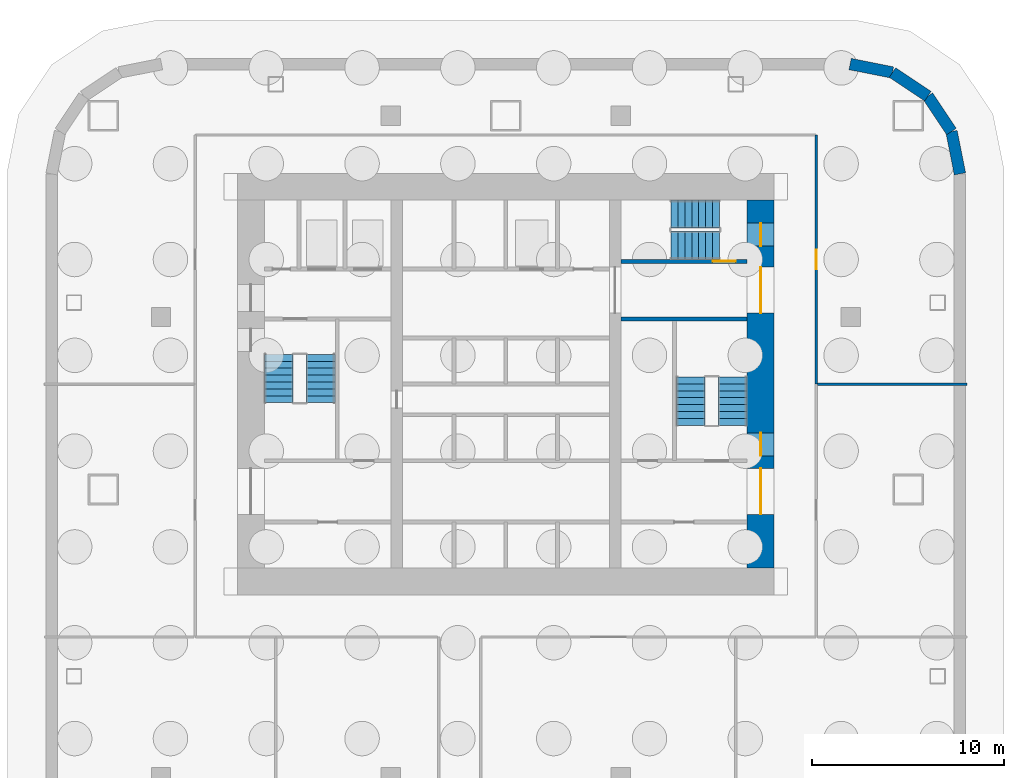
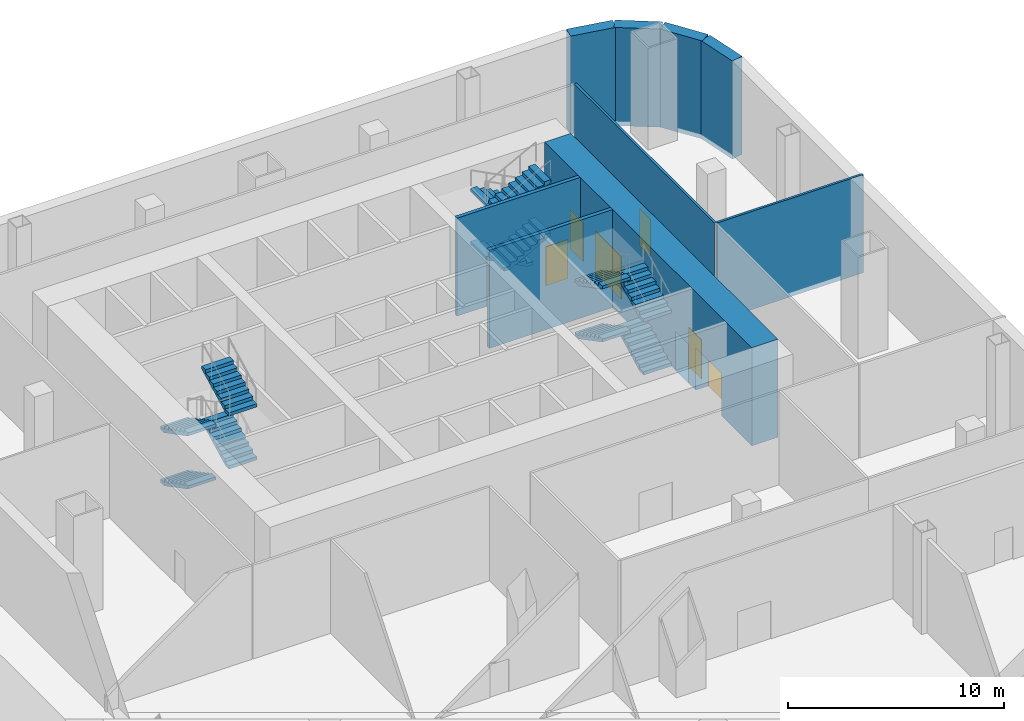
# One storey, part 4 of 6: 12 stair flights, 9 walls, 6 doors, 6 openings, 3 elements without a shape of their own.
"""IFC4 building model written with IfcOpenShell, lengths in metres."""

from ifc_helpers import new_model, si_unit, direction, frame, frame_2d, origin, place, context, subcontext, project, spatial, polyline, rectangle, outline, extrude, material, layer, layer_set, type_object, element, fill, aggregate, save


model = new_model("IFC4")

# Units and contexts
model_context = context("Model", 3, precision=1e-05, world=origin(), true_north=direction((0.0, 1.0)))
body_context = subcontext(model_context, "Body", "Model", "MODEL_VIEW")
ifc_project = project(units=[si_unit("LENGTHUNIT", "METRE"), si_unit("AREAUNIT", "SQUARE_METRE"), si_unit("VOLUMEUNIT", "CUBIC_METRE"), si_unit("PLANEANGLEUNIT", "RADIAN"), si_unit("MASSUNIT", "GRAM", prefix="KILO")], contexts=[model_context])

# Site, building, storey
site_placement = place(None, origin())
site = spatial("IfcSite", under=ifc_project, at=site_placement, CompositionType="ELEMENT")
building_placement = place(site_placement, origin())
building = spatial("IfcBuilding", under=site, at=building_placement, Name="Verdant Reach Tower", CompositionType="ELEMENT")
storey_placement = place(building_placement, frame((0.0, 0.0, -6.0)))
storey = spatial("IfcBuildingStorey", under=building, at=storey_placement, Name="B1", CompositionType="ELEMENT", Elevation=-6.0)

# Wall
ifc_material_1 = material(Name="Concrete C40/50", Category="concrete")
ifc_layer_1 = layer(ifc_material_1, 0.199951171875)
ifc_layer_set_1 = layer_set([ifc_layer_1], Name="CO-WALL-STAIR")
wall_type_1 = type_object("IfcWallType", Name="CO-WALL-STAIR", PredefinedType="PARTITIONING", material=ifc_layer_set_1)
wall_1_placement = place(storey_placement, frame((6.0, 31.39990234375, 0.0), z_axis=(0.0, 0.0, 1.0), x_axis=(1.0, 0.0, 0.0)))
element("IfcWall", 1, at=wall_1_placement, inside=storey, type_object=wall_type_1, Name="Stair enclosure wall, B1", PredefinedType="PARTITIONING", context=body_context, shape_type="SweptSolid", body=[
    extrude(rectangle(XDim=6.60009765625, YDim=0.199951171875, at=frame_2d((3.300048828125, 0.0))), origin(), (0.0, 0.0, 1.0), 5.550048828125),
])

# Wall, opening, door
wall_2_placement = place(storey_placement, frame((6.0, 34.39990234375, 0.0), z_axis=(0.0, 0.0, 1.0), x_axis=(1.0, 0.0, 0.0)))
wall_2 = element("IfcWall", 2, at=wall_2_placement, inside=storey, type_object=wall_type_1, Name="Stair enclosure wall, B1", PredefinedType="PARTITIONING", context=body_context, shape_type="SweptSolid", body=[
    extrude(rectangle(XDim=6.60009765625, YDim=0.199951171875, at=frame_2d((3.300048828125, 0.0))), origin(), (0.0, 0.0, 1.0), 5.550048828125),
])
opening_1_placement = place(wall_2_placement, frame((4.800048828125, 0.0, 0.0)))
opening_1 = element("IfcOpeningElement", 3, at=opening_1_placement, cuts=wall_2, Name="Opening SD", PredefinedType="OPENING", context=body_context, shape_type="SweptSolid", body=[
    extrude(rectangle(XDim=1.199951171875, YDim=2.199951171875, at=frame_2d((0.60009765625, 1.10009765625))), frame((0.0, 0.10986328125, 0.0), z_axis=(0.0, -1.0, 0.0), x_axis=(1.0, 0.0, 0.0)), (0.0, 0.0, 1.0), 0.219970703125),
])
ifc_material_2 = material(Name="Steel", Category="steel")
door_type_1 = type_object("IfcDoorType", Name="CO-DOOR-STAIR", OperationType="NOTDEFINED", PredefinedType="DOOR", material=ifc_material_2)
door_1_placement = place(opening_1_placement, origin())
door_1 = element("IfcDoor", 4, at=door_1_placement, inside=storey, type_object=door_type_1, Name="Stair door, B1", OperationType="SINGLE_SWING_RIGHT", OverallHeight=2.199951171875, OverallWidth=1.199951171875, PredefinedType="DOOR", context=body_context, shape_type="SweptSolid", body=[
    extrude(rectangle(XDim=1.199951171875, YDim=2.199951171875, at=frame_2d((0.60009765625, 1.10009765625))), frame((0.0, 0.02490234375, 0.0), z_axis=(0.0, -1.0, 0.0), x_axis=(1.0, 0.0, 0.0)), (0.0, 0.0, 1.0), 0.050048828125),
])
fill(opening_1, door_1)

# Walls
ifc_layer_2 = layer(ifc_material_1, 0.60009765625)
ifc_layer_set_2 = layer_set([ifc_layer_2], Name="ST-BASEMENT-WALL")
wall_type_2 = type_object("IfcWallType", Name="ST-BASEMENT-WALL", PredefinedType="SHEAR", material=ifc_layer_set_2)
wall_3_placement = place(storey_placement, frame((17.970458984375, 44.699951171875, 0.0), z_axis=(0.0, 0.0, 1.0), x_axis=(0.980792774628, -0.195052642224, 0.0)))
element("IfcWall", 5, at=wall_3_placement, inside=storey, type_object=wall_type_2, Name="Basement retaining wall 12", PredefinedType="SHEAR", context=body_context, shape_type="SweptSolid", body=[
    extrude(rectangle(XDim=2.251708984375, YDim=0.60009765625, at=frame_2d((1.1259765625, 0.0))), origin(), (0.0, 0.0, 1.0), 5.550048828125),
])
for number, where, z_axis, x_axis, name in (
    (6, (20.178955078125, 44.2607421875, 0.0), (0.0, 0.0, 1.0), (0.831475081676, -0.555562047437, 0.0), "Basement retaining wall 13"),
    (7, (22.0263671875, 43.0263671875, 0.0), (0.0, 0.0, 1.0), (0.555562047437, -0.831475081676, 0.0), "Basement retaining wall 14"),
):
    element("IfcWall", number, at=place(storey_placement, frame(where, z_axis=z_axis, x_axis=x_axis)), inside=storey, type_object=wall_type_2, Name=name, PredefinedType="SHEAR", context=body_context, shape_type="SweptSolid", body=[
        extrude(rectangle(XDim=2.221923828125, YDim=0.60009765625, at=frame_2d((1.11083984375, 0.0))), origin(), (0.0, 0.0, 1.0), 5.550048828125),
    ])
wall_4_placement = place(storey_placement, frame((23.2607421875, 41.178955078125, 0.0), z_axis=(0.0, 0.0, 1.0), x_axis=(0.195052642224, -0.980792774628, 0.0)))
element("IfcWall", 8, at=wall_4_placement, inside=storey, type_object=wall_type_2, Name="Basement retaining wall 15", PredefinedType="SHEAR", context=body_context, shape_type="SweptSolid", body=[
    extrude(rectangle(XDim=2.251708984375, YDim=0.60009765625, at=frame_2d((1.1259765625, 0.0))), origin(), (0.0, 0.0, 1.0), 5.550048828125),
])

# Wall, openings, doors
ifc_material_3 = material(Name="Concrete C70/85", Category="concrete")
ifc_layer_3 = layer(ifc_material_3, 1.39990234375)
ifc_layer_set_3 = layer_set([ifc_layer_3], Name="ST-CORE-WALL-1400")
wall_type_3 = type_object("IfcWallType", Name="ST-CORE-WALL-1400", PredefinedType="SHEAR", material=ifc_layer_set_3)
wall_5_placement = place(storey_placement, frame((13.300048828125, 18.39990234375, 0.0), z_axis=(0.0, 0.0, 1.0), x_axis=(0.0, 1.0, 0.0)))
wall_5 = element("IfcWall", 9, at=wall_5_placement, inside=storey, type_object=wall_type_3, Name="Core wall E, B1", PredefinedType="SHEAR", context=body_context, shape_type="SweptSolid", body=[
    extrude(rectangle(XDim=19.2001953125, YDim=1.39990234375, at=frame_2d((9.60009765625, 0.0))), origin(), (0.0, 0.0, 1.0), 5.550048828125),
])
opening_2_placement = place(wall_5_placement, frame((2.800048828125, 0.0, 0.0)))
opening_2 = element("IfcOpeningElement", 10, at=opening_2_placement, cuts=wall_5, Name="Opening LB", PredefinedType="OPENING", context=body_context, shape_type="SweptSolid", body=[
    extrude(rectangle(XDim=2.39990234375, YDim=2.39990234375, at=frame_2d((1.199951171875, 1.199951171875))), frame((0.0, 0.7099609375, 0.0), z_axis=(0.0, -1.0, 0.0), x_axis=(1.0, 0.0, 0.0)), (0.0, 0.0, 1.0), 1.419921875),
])
opening_3_placement = place(wall_5_placement, frame((13.300048828125, 0.0, 0.0)))
opening_3 = element("IfcOpeningElement", 11, at=opening_3_placement, cuts=wall_5, Name="Opening LB", PredefinedType="OPENING", context=body_context, shape_type="SweptSolid", body=[
    extrude(rectangle(XDim=2.39990234375, YDim=2.39990234375, at=frame_2d((1.199951171875, 1.199951171875))), frame((0.0, 0.7099609375, 0.0), z_axis=(0.0, -1.0, 0.0), x_axis=(1.0, 0.0, 0.0)), (0.0, 0.0, 1.0), 1.419921875),
])
opening_4_placement = place(wall_5_placement, frame((5.85009765625, 0.0, 0.0)))
opening_4 = element("IfcOpeningElement", 12, at=opening_4_placement, cuts=wall_5, Name="Opening SD", PredefinedType="OPENING", context=body_context, shape_type="SweptSolid", body=[
    extrude(rectangle(XDim=1.199951171875, YDim=2.199951171875, at=frame_2d((0.60009765625, 1.10009765625))), frame((0.0, 0.7099609375, 0.0), z_axis=(0.0, -1.0, 0.0), x_axis=(1.0, 0.0, 0.0)), (0.0, 0.0, 1.0), 1.419921875),
])
opening_5_placement = place(wall_5_placement, frame((16.800048828125, 0.0, 0.0)))
opening_5 = element("IfcOpeningElement", 13, at=opening_5_placement, cuts=wall_5, Name="Opening SD", PredefinedType="OPENING", context=body_context, shape_type="SweptSolid", body=[
    extrude(rectangle(XDim=1.199951171875, YDim=2.199951171875, at=frame_2d((0.60009765625, 1.10009765625))), frame((0.0, 0.7099609375, 0.0), z_axis=(0.0, -1.0, 0.0), x_axis=(1.0, 0.0, 0.0)), (0.0, 0.0, 1.0), 1.419921875),
])
ifc_material_4 = material(Name="Glass and steel", Category="steel")
door_type_2 = type_object("IfcDoorType", Name="CO-DOOR-LOBBY", OperationType="DOUBLE_DOOR_SINGLE_SWING", PredefinedType="DOOR", material=ifc_material_4)
door_2_placement = place(opening_2_placement, origin())
door_2 = element("IfcDoor", 14, at=door_2_placement, inside=storey, type_object=door_type_2, Name="Core entrance door, B1", OperationType="DOUBLE_DOOR_SINGLE_SWING", OverallHeight=2.39990234375, OverallWidth=2.39990234375, PredefinedType="DOOR", context=body_context, shape_type="SweptSolid", body=[
    extrude(rectangle(XDim=2.39990234375, YDim=2.39990234375, at=frame_2d((1.199951171875, 1.199951171875))), frame((0.0, 0.02490234375, 0.0), z_axis=(0.0, -1.0, 0.0), x_axis=(1.0, 0.0, 0.0)), (0.0, 0.0, 1.0), 0.050048828125),
])
fill(opening_2, door_2)
door_3_placement = place(opening_3_placement, origin())
door_3 = element("IfcDoor", 15, at=door_3_placement, inside=storey, type_object=door_type_2, Name="Core entrance door, B1", OperationType="DOUBLE_DOOR_SINGLE_SWING", OverallHeight=2.39990234375, OverallWidth=2.39990234375, PredefinedType="DOOR", context=body_context, shape_type="SweptSolid", body=[
    extrude(rectangle(XDim=2.39990234375, YDim=2.39990234375, at=frame_2d((1.199951171875, 1.199951171875))), frame((0.0, 0.02490234375, 0.0), z_axis=(0.0, -1.0, 0.0), x_axis=(1.0, 0.0, 0.0)), (0.0, 0.0, 1.0), 0.050048828125),
])
fill(opening_3, door_3)
door_4_placement = place(opening_4_placement, origin())
door_4 = element("IfcDoor", 16, at=door_4_placement, inside=storey, type_object=door_type_1, Name="Core entrance door, B1", OperationType="SINGLE_SWING_LEFT", OverallHeight=2.199951171875, OverallWidth=1.199951171875, PredefinedType="DOOR", context=body_context, shape_type="SweptSolid", body=[
    extrude(rectangle(XDim=1.199951171875, YDim=2.199951171875, at=frame_2d((0.60009765625, 1.10009765625))), frame((0.0, 0.02490234375, 0.0), z_axis=(0.0, -1.0, 0.0), x_axis=(1.0, 0.0, 0.0)), (0.0, 0.0, 1.0), 0.050048828125),
])
fill(opening_4, door_4)
door_5_placement = place(opening_5_placement, origin())
door_5 = element("IfcDoor", 17, at=door_5_placement, inside=storey, type_object=door_type_1, Name="Core entrance door, B1", OperationType="SINGLE_SWING_RIGHT", OverallHeight=2.199951171875, OverallWidth=1.199951171875, PredefinedType="DOOR", context=body_context, shape_type="SweptSolid", body=[
    extrude(rectangle(XDim=1.199951171875, YDim=2.199951171875, at=frame_2d((0.60009765625, 1.10009765625))), frame((0.0, 0.02490234375, 0.0), z_axis=(0.0, -1.0, 0.0), x_axis=(1.0, 0.0, 0.0)), (0.0, 0.0, 1.0), 0.050048828125),
])
fill(opening_5, door_5)

# Wall, opening, door
ifc_material_5 = material(Name="Gypsum board on steel studs, fire rated", Category="steel")
ifc_layer_4 = layer(ifc_material_5, 0.125)
ifc_layer_set_4 = layer_set([ifc_layer_4], Name="SV-W2 Plant wall 125 EI 60")
wall_type_4 = type_object("IfcWallType", Name="SV-W2 Plant wall 125 EI 60", PredefinedType="PARTITIONING", material=ifc_layer_set_4)
wall_6_placement = place(storey_placement, frame((16.199951171875, 28.0, 0.0), z_axis=(0.0, 0.0, 1.0), x_axis=(0.0, 1.0, 0.0)))
wall_6 = element("IfcWall", 18, at=wall_6_placement, inside=storey, type_object=wall_type_4, Name="Partition B1.18", PredefinedType="PARTITIONING", context=body_context, shape_type="SweptSolid", body=[
    extrude(rectangle(XDim=13.0, YDim=0.125, at=frame_2d((6.5, 0.0))), origin(), (0.0, 0.0, 1.0), 5.550048828125),
])
opening_6_placement = place(wall_6_placement, frame((6.0, 0.0, 0.0)))
opening_6 = element("IfcOpeningElement", 19, at=opening_6_placement, cuts=wall_6, Name="Opening SD2", PredefinedType="OPENING", context=body_context, shape_type="SweptSolid", body=[
    extrude(rectangle(XDim=1.0, YDim=2.10009765625, at=frame_2d((0.5, 1.050048828125))), frame((0.0, 0.072509765625, 0.0), z_axis=(0.0, -1.0, 0.0), x_axis=(1.0, 0.0, 0.0)), (0.0, 0.0, 1.0), 0.14501953125),
])
ifc_material_6 = material(Name="Steel door leaf, fire rated", Category="steel")
door_type_3 = type_object("IfcDoorType", Name="SV-D2 Door 1000x2100 FD60", OperationType="NOTDEFINED", PredefinedType="DOOR", material=ifc_material_6)
door_6_placement = place(opening_6_placement, origin())
door_6 = element("IfcDoor", 20, at=door_6_placement, inside=storey, type_object=door_type_3, Name="Door B1-012", OperationType="SINGLE_SWING_RIGHT", OverallHeight=2.10009765625, OverallWidth=1.0, PredefinedType="DOOR", context=body_context, shape_type="SweptSolid", body=[
    extrude(rectangle(XDim=1.0, YDim=2.10009765625, at=frame_2d((0.5, 1.050048828125))), frame((0.0, 0.02490234375, 0.0), z_axis=(0.0, -1.0, 0.0), x_axis=(1.0, 0.0, 0.0)), (0.0, 0.0, 1.0), 0.050048828125),
])
fill(opening_6, door_6)

# Wall
wall_7_placement = place(storey_placement, frame((16.262451171875, 28.0, 0.0), z_axis=(0.0, 0.0, 1.0), x_axis=(1.0, 0.0, 0.0)))
element("IfcWall", 21, at=wall_7_placement, inside=storey, type_object=wall_type_4, Name="Partition B1.27", PredefinedType="PARTITIONING", context=body_context, shape_type="SweptSolid", body=[
    extrude(rectangle(XDim=7.817626953125, YDim=0.125, at=frame_2d((3.90869140625, 0.0))), origin(), (0.0, 0.0, 1.0), 5.550048828125),
])

# Stair, stair flights
stair_type = type_object("IfcStairType", Name="CO-STAIR", PredefinedType="HALF_TURN_STAIR", material=ifc_material_1)
stair_1_placement = place(storey_placement, origin())
stair_1 = element("IfcStair", 22, at=stair_1_placement, inside=storey, type_object=stair_type, Name="B1 Exit stair 1", PredefinedType="HALF_TURN_STAIR")
stair_flight_type = type_object("IfcStairFlightType", Name="CO-STAIR-FLIGHT", PredefinedType="STRAIGHT", material=ifc_material_1)
stair_flight_1_placement = place(storey_placement, frame((-11.85009765625, 29.550048828125, 0.0), z_axis=(0.0, 0.0, 1.0), x_axis=(0.0, -1.0, 0.0)))
stair_flight_1 = element("IfcStairFlight", 23, at=stair_flight_1_placement, type_object=stair_flight_type, Name="ST-1 flight 1", NumberOfRisers=8, NumberOfTreads=7, PredefinedType="STRAIGHT", RiserHeight=0.1875, TreadLength=0.36, context=body_context, shape_type="SweptSolid", body=[
    extrude(outline(polyline([(0.0, 0.0), (0.0, 0.1875), (0.360107421875, 0.1875), (0.360107421875, 0.375), (0.719970703125, 0.375), (0.719970703125, 0.5625), (1.080078125, 0.5625), (1.080078125, 0.75), (1.43994140625, 0.75), (1.43994140625, 0.9375), (1.800048828125, 0.9375), (1.800048828125, 1.125), (2.159912109375, 1.125), (2.159912109375, 1.3125), (2.52001953125, 1.3125), (2.52001953125, 1.5), (2.52001953125, 1.1435546875), (0.324462890625, 0.0), (0.0, 0.0)])), frame((0.0, 0.75, 0.0), z_axis=(0.0, -1.0, 0.0), x_axis=(1.0, 0.0, 0.0)), (0.0, 0.0, 1.0), 1.5),
])
stair_flight_2_placement = place(storey_placement, frame((-9.64990234375, 27.030029296875, 1.5), z_axis=(0.0, 0.0, 1.0), x_axis=(0.0, 1.0, 0.0)))
stair_flight_2 = element("IfcStairFlight", 24, at=stair_flight_2_placement, type_object=stair_flight_type, Name="ST-1 flight 2", NumberOfRisers=8, NumberOfTreads=7, PredefinedType="STRAIGHT", RiserHeight=0.1875, TreadLength=0.36, context=body_context, shape_type="SweptSolid", body=[
    extrude(outline(polyline([(0.0, 0.0), (0.0, 0.1875), (0.360107421875, 0.1875), (0.360107421875, 0.375), (0.719970703125, 0.375), (0.719970703125, 0.5625), (1.080078125, 0.5625), (1.080078125, 0.75), (1.43994140625, 0.75), (1.43994140625, 0.9375), (1.800048828125, 0.9375), (1.800048828125, 1.125), (2.159912109375, 1.125), (2.159912109375, 1.3125), (2.52001953125, 1.3125), (2.52001953125, 1.5), (2.52001953125, 1.1435546875), (0.324462890625, 0.0), (0.0, 0.0)])), frame((0.0, 0.75, 0.0), z_axis=(0.0, -1.0, 0.0), x_axis=(1.0, 0.0, 0.0)), (0.0, 0.0, 1.0), 1.5),
])
stair_flight_3_placement = place(storey_placement, frame((-11.85009765625, 29.550048828125, 3.0), z_axis=(0.0, 0.0, 1.0), x_axis=(0.0, -1.0, 0.0)))
stair_flight_3 = element("IfcStairFlight", 25, at=stair_flight_3_placement, type_object=stair_flight_type, Name="ST-1 flight 3", NumberOfRisers=8, NumberOfTreads=7, PredefinedType="STRAIGHT", RiserHeight=0.1875, TreadLength=0.36, context=body_context, shape_type="SweptSolid", body=[
    extrude(outline(polyline([(0.0, 0.0), (0.0, 0.1875), (0.360107421875, 0.1875), (0.360107421875, 0.375), (0.719970703125, 0.375), (0.719970703125, 0.5625), (1.080078125, 0.5625), (1.080078125, 0.75), (1.43994140625, 0.75), (1.43994140625, 0.9375), (1.800048828125, 0.9375), (1.800048828125, 1.125), (2.159912109375, 1.125), (2.159912109375, 1.3125), (2.52001953125, 1.3125), (2.52001953125, 1.5), (2.52001953125, 1.1435546875), (0.324462890625, 0.0), (0.0, 0.0)])), frame((0.0, 0.75, 0.0), z_axis=(0.0, -1.0, 0.0), x_axis=(1.0, 0.0, 0.0)), (0.0, 0.0, 1.0), 1.5),
])
stair_flight_4_placement = place(storey_placement, frame((-9.64990234375, 27.030029296875, 4.5), z_axis=(0.0, 0.0, 1.0), x_axis=(0.0, 1.0, 0.0)))
stair_flight_4 = element("IfcStairFlight", 26, at=stair_flight_4_placement, type_object=stair_flight_type, Name="ST-1 flight 4", NumberOfRisers=8, NumberOfTreads=7, PredefinedType="STRAIGHT", RiserHeight=0.1875, TreadLength=0.36, context=body_context, shape_type="SweptSolid", body=[
    extrude(outline(polyline([(0.0, 0.0), (0.0, 0.1875), (0.360107421875, 0.1875), (0.360107421875, 0.375), (0.719970703125, 0.375), (0.719970703125, 0.5625), (1.080078125, 0.5625), (1.080078125, 0.75), (1.43994140625, 0.75), (1.43994140625, 0.9375), (1.800048828125, 0.9375), (1.800048828125, 1.125), (2.159912109375, 1.125), (2.159912109375, 1.3125), (2.52001953125, 1.3125), (2.52001953125, 1.5), (2.52001953125, 1.1435546875), (0.324462890625, 0.0), (0.0, 0.0)])), frame((0.0, 0.75, 0.0), z_axis=(0.0, -1.0, 0.0), x_axis=(1.0, 0.0, 0.0)), (0.0, 0.0, 1.0), 1.5),
])
aggregate(stair_1, [stair_flight_1, stair_flight_2, stair_flight_3, stair_flight_4])

stair_2_placement = place(storey_placement, origin())
stair_2 = element("IfcStair", 27, at=stair_2_placement, inside=storey, type_object=stair_type, Name="B1 Exit stair 2", PredefinedType="HALF_TURN_STAIR")
stair_flight_5_placement = place(storey_placement, frame((11.85009765625, 25.85009765625, 0.0), z_axis=(0.0, 0.0, 1.0), x_axis=(0.0, 1.0, 0.0)))
stair_flight_5 = element("IfcStairFlight", 28, at=stair_flight_5_placement, type_object=stair_flight_type, Name="ST-2 flight 1", NumberOfRisers=8, NumberOfTreads=7, PredefinedType="STRAIGHT", RiserHeight=0.1875, TreadLength=0.36, context=body_context, shape_type="SweptSolid", body=[
    extrude(outline(polyline([(0.0, 0.0), (0.0, 0.1875), (0.360107421875, 0.1875), (0.360107421875, 0.375), (0.719970703125, 0.375), (0.719970703125, 0.5625), (1.080078125, 0.5625), (1.080078125, 0.75), (1.43994140625, 0.75), (1.43994140625, 0.9375), (1.800048828125, 0.9375), (1.800048828125, 1.125), (2.159912109375, 1.125), (2.159912109375, 1.3125), (2.52001953125, 1.3125), (2.52001953125, 1.5), (2.52001953125, 1.1435546875), (0.324462890625, 0.0), (0.0, 0.0)])), frame((0.0, 0.75, 0.0), z_axis=(0.0, -1.0, 0.0), x_axis=(1.0, 0.0, 0.0)), (0.0, 0.0, 1.0), 1.5),
])
stair_flight_6_placement = place(storey_placement, frame((9.64990234375, 28.3701171875, 1.5), z_axis=(0.0, 0.0, 1.0), x_axis=(0.0, -1.0, 0.0)))
stair_flight_6 = element("IfcStairFlight", 29, at=stair_flight_6_placement, type_object=stair_flight_type, Name="ST-2 flight 2", NumberOfRisers=8, NumberOfTreads=7, PredefinedType="STRAIGHT", RiserHeight=0.1875, TreadLength=0.36, context=body_context, shape_type="SweptSolid", body=[
    extrude(outline(polyline([(0.0, 0.0), (0.0, 0.1875), (0.360107421875, 0.1875), (0.360107421875, 0.375), (0.719970703125, 0.375), (0.719970703125, 0.5625), (1.080078125, 0.5625), (1.080078125, 0.75), (1.43994140625, 0.75), (1.43994140625, 0.9375), (1.800048828125, 0.9375), (1.800048828125, 1.125), (2.159912109375, 1.125), (2.159912109375, 1.3125), (2.52001953125, 1.3125), (2.52001953125, 1.5), (2.52001953125, 1.1435546875), (0.324462890625, 0.0), (0.0, 0.0)])), frame((0.0, 0.75, 0.0), z_axis=(0.0, -1.0, 0.0), x_axis=(1.0, 0.0, 0.0)), (0.0, 0.0, 1.0), 1.5),
])
stair_flight_7_placement = place(storey_placement, frame((11.85009765625, 25.85009765625, 3.0), z_axis=(0.0, 0.0, 1.0), x_axis=(0.0, 1.0, 0.0)))
stair_flight_7 = element("IfcStairFlight", 30, at=stair_flight_7_placement, type_object=stair_flight_type, Name="ST-2 flight 3", NumberOfRisers=8, NumberOfTreads=7, PredefinedType="STRAIGHT", RiserHeight=0.1875, TreadLength=0.36, context=body_context, shape_type="SweptSolid", body=[
    extrude(outline(polyline([(0.0, 0.0), (0.0, 0.1875), (0.360107421875, 0.1875), (0.360107421875, 0.375), (0.719970703125, 0.375), (0.719970703125, 0.5625), (1.080078125, 0.5625), (1.080078125, 0.75), (1.43994140625, 0.75), (1.43994140625, 0.9375), (1.800048828125, 0.9375), (1.800048828125, 1.125), (2.159912109375, 1.125), (2.159912109375, 1.3125), (2.52001953125, 1.3125), (2.52001953125, 1.5), (2.52001953125, 1.1435546875), (0.324462890625, 0.0), (0.0, 0.0)])), frame((0.0, 0.75, 0.0), z_axis=(0.0, -1.0, 0.0), x_axis=(1.0, 0.0, 0.0)), (0.0, 0.0, 1.0), 1.5),
])
stair_flight_8_placement = place(storey_placement, frame((9.64990234375, 28.3701171875, 4.5), z_axis=(0.0, 0.0, 1.0), x_axis=(0.0, -1.0, 0.0)))
stair_flight_8 = element("IfcStairFlight", 31, at=stair_flight_8_placement, type_object=stair_flight_type, Name="ST-2 flight 4", NumberOfRisers=8, NumberOfTreads=7, PredefinedType="STRAIGHT", RiserHeight=0.1875, TreadLength=0.36, context=body_context, shape_type="SweptSolid", body=[
    extrude(outline(polyline([(0.0, 0.0), (0.0, 0.1875), (0.360107421875, 0.1875), (0.360107421875, 0.375), (0.719970703125, 0.375), (0.719970703125, 0.5625), (1.080078125, 0.5625), (1.080078125, 0.75), (1.43994140625, 0.75), (1.43994140625, 0.9375), (1.800048828125, 0.9375), (1.800048828125, 1.125), (2.159912109375, 1.125), (2.159912109375, 1.3125), (2.52001953125, 1.3125), (2.52001953125, 1.5), (2.52001953125, 1.1435546875), (0.324462890625, 0.0), (0.0, 0.0)])), frame((0.0, 0.75, 0.0), z_axis=(0.0, -1.0, 0.0), x_axis=(1.0, 0.0, 0.0)), (0.0, 0.0, 1.0), 1.5),
])
aggregate(stair_2, [stair_flight_5, stair_flight_6, stair_flight_7, stair_flight_8])

stair_3_placement = place(storey_placement, origin())
stair_3 = element("IfcStair", 32, at=stair_3_placement, inside=storey, type_object=stair_type, Name="B1 Exit stair 3", PredefinedType="HALF_TURN_STAIR")
stair_flight_9_placement = place(storey_placement, frame((11.14990234375, 36.875, 0.0), z_axis=(0.0, 0.0, 1.0), x_axis=(-1.0, 0.0, 0.0)))
stair_flight_9 = element("IfcStairFlight", 33, at=stair_flight_9_placement, type_object=stair_flight_type, Name="ST-3 flight 1", NumberOfRisers=8, NumberOfTreads=7, PredefinedType="STRAIGHT", RiserHeight=0.1875, TreadLength=0.36, context=body_context, shape_type="SweptSolid", body=[
    extrude(outline(polyline([(0.0, 0.0), (0.0, 0.1875), (0.360107421875, 0.1875), (0.360107421875, 0.375), (0.719970703125, 0.375), (0.719970703125, 0.5625), (1.080078125, 0.5625), (1.080078125, 0.75), (1.43994140625, 0.75), (1.43994140625, 0.9375), (1.800048828125, 0.9375), (1.800048828125, 1.125), (2.159912109375, 1.125), (2.159912109375, 1.3125), (2.52001953125, 1.3125), (2.52001953125, 1.5), (2.52001953125, 1.1435546875), (0.324462890625, 0.0), (0.0, 0.0)])), frame((0.0, 0.72509765625, 0.0), z_axis=(0.0, -1.0, 0.0), x_axis=(1.0, 0.0, 0.0)), (0.0, 0.0, 1.0), 1.449951171875),
])
stair_flight_10_placement = place(storey_placement, frame((8.6298828125, 35.22509765625, 1.5), z_axis=(0.0, 0.0, 1.0), x_axis=(1.0, 0.0, 0.0)))
stair_flight_10 = element("IfcStairFlight", 34, at=stair_flight_10_placement, type_object=stair_flight_type, Name="ST-3 flight 2", NumberOfRisers=8, NumberOfTreads=7, PredefinedType="STRAIGHT", RiserHeight=0.1875, TreadLength=0.36, context=body_context, shape_type="SweptSolid", body=[
    extrude(outline(polyline([(0.0, 0.0), (0.0, 0.1875), (0.360107421875, 0.1875), (0.360107421875, 0.375), (0.719970703125, 0.375), (0.719970703125, 0.5625), (1.080078125, 0.5625), (1.080078125, 0.75), (1.43994140625, 0.75), (1.43994140625, 0.9375), (1.800048828125, 0.9375), (1.800048828125, 1.125), (2.159912109375, 1.125), (2.159912109375, 1.3125), (2.52001953125, 1.3125), (2.52001953125, 1.5), (2.52001953125, 1.1435546875), (0.324462890625, 0.0), (0.0, 0.0)])), frame((0.0, 0.72509765625, 0.0), z_axis=(0.0, -1.0, 0.0), x_axis=(1.0, 0.0, 0.0)), (0.0, 0.0, 1.0), 1.449951171875),
])
stair_flight_11_placement = place(storey_placement, frame((11.14990234375, 36.875, 3.0), z_axis=(0.0, 0.0, 1.0), x_axis=(-1.0, 0.0, 0.0)))
stair_flight_11 = element("IfcStairFlight", 35, at=stair_flight_11_placement, type_object=stair_flight_type, Name="ST-3 flight 3", NumberOfRisers=8, NumberOfTreads=7, PredefinedType="STRAIGHT", RiserHeight=0.1875, TreadLength=0.36, context=body_context, shape_type="SweptSolid", body=[
    extrude(outline(polyline([(0.0, 0.0), (0.0, 0.1875), (0.360107421875, 0.1875), (0.360107421875, 0.375), (0.719970703125, 0.375), (0.719970703125, 0.5625), (1.080078125, 0.5625), (1.080078125, 0.75), (1.43994140625, 0.75), (1.43994140625, 0.9375), (1.800048828125, 0.9375), (1.800048828125, 1.125), (2.159912109375, 1.125), (2.159912109375, 1.3125), (2.52001953125, 1.3125), (2.52001953125, 1.5), (2.52001953125, 1.1435546875), (0.324462890625, 0.0), (0.0, 0.0)])), frame((0.0, 0.72509765625, 0.0), z_axis=(0.0, -1.0, 0.0), x_axis=(1.0, 0.0, 0.0)), (0.0, 0.0, 1.0), 1.449951171875),
])
stair_flight_12_placement = place(storey_placement, frame((8.6298828125, 35.22509765625, 4.5), z_axis=(0.0, 0.0, 1.0), x_axis=(1.0, 0.0, 0.0)))
stair_flight_12 = element("IfcStairFlight", 36, at=stair_flight_12_placement, type_object=stair_flight_type, Name="ST-3 flight 4", NumberOfRisers=8, NumberOfTreads=7, PredefinedType="STRAIGHT", RiserHeight=0.1875, TreadLength=0.36, context=body_context, shape_type="SweptSolid", body=[
    extrude(outline(polyline([(0.0, 0.0), (0.0, 0.1875), (0.360107421875, 0.1875), (0.360107421875, 0.375), (0.719970703125, 0.375), (0.719970703125, 0.5625), (1.080078125, 0.5625), (1.080078125, 0.75), (1.43994140625, 0.75), (1.43994140625, 0.9375), (1.800048828125, 0.9375), (1.800048828125, 1.125), (2.159912109375, 1.125), (2.159912109375, 1.3125), (2.52001953125, 1.3125), (2.52001953125, 1.5), (2.52001953125, 1.1435546875), (0.324462890625, 0.0), (0.0, 0.0)])), frame((0.0, 0.72509765625, 0.0), z_axis=(0.0, -1.0, 0.0), x_axis=(1.0, 0.0, 0.0)), (0.0, 0.0, 1.0), 1.449951171875),
])
aggregate(stair_3, [stair_flight_9, stair_flight_10, stair_flight_11, stair_flight_12])

save(model, "model.ifc")
